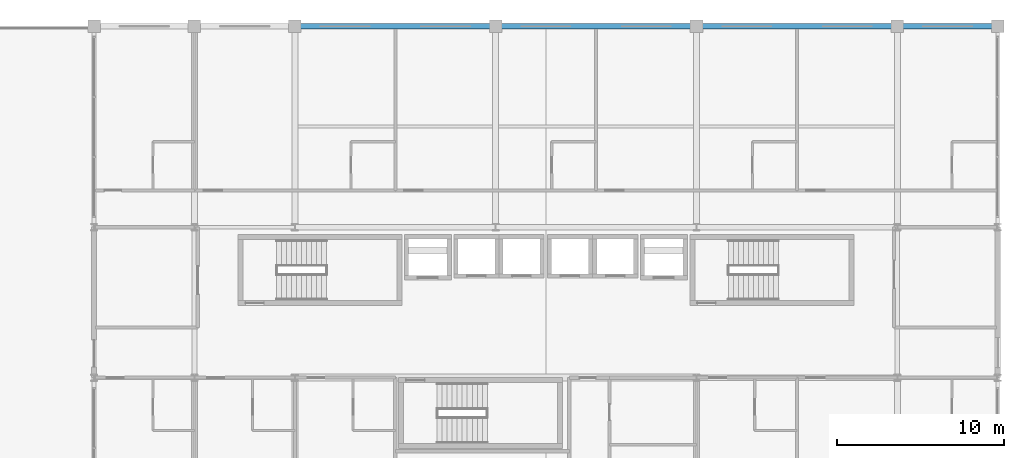
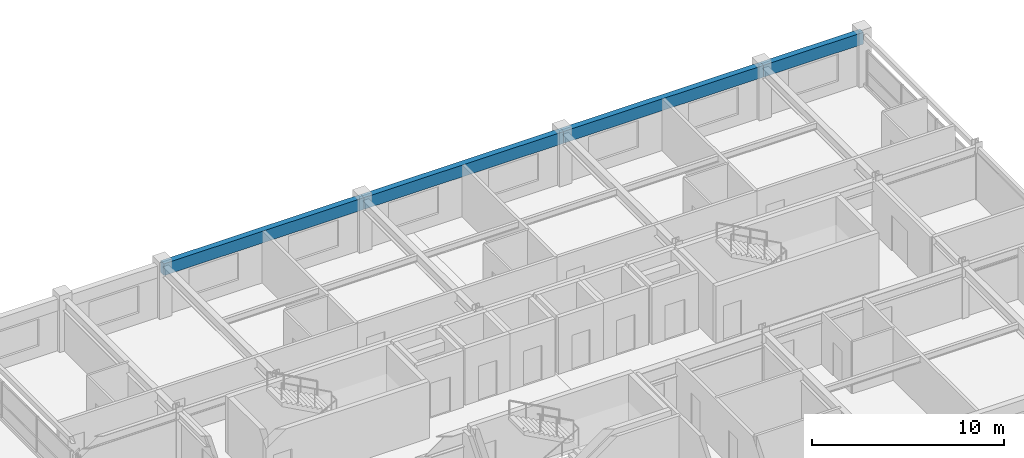
# One storey, part 14 of 21: 4 beams.
"""IFC4 building model written with IfcOpenShell, lengths in metres."""

from ifc_helpers import new_model, si_unit, direction, frame, origin, origin_2d, place, context, subcontext, project, spatial, rectangle, extrude, material, material_profile, profile_set, type_object, element, save


model = new_model("IFC4")

# Units and contexts
model_context = context("Model", 3, precision=1e-05, world=origin(), true_north=direction((0.0, 1.0)))
body_context = subcontext(model_context, "Body", "Model", "MODEL_VIEW")
ifc_project = project(units=[si_unit("LENGTHUNIT", "METRE"), si_unit("AREAUNIT", "SQUARE_METRE"), si_unit("VOLUMEUNIT", "CUBIC_METRE"), si_unit("PLANEANGLEUNIT", "RADIAN"), si_unit("MASSUNIT", "GRAM", prefix="KILO")], contexts=[model_context])

# Site, building, storey
site_placement = place(None, origin())
site = spatial("IfcSite", under=ifc_project, at=site_placement, CompositionType="ELEMENT")
building_placement = place(site_placement, origin())
building = spatial("IfcBuilding", under=site, at=building_placement, Name="Kaldorvane Square Convention Centre", CompositionType="ELEMENT")
storey_placement = place(building_placement, frame((0.0, 0.0, 49.19999694824219)))
storey = spatial("IfcBuildingStorey", under=building, at=storey_placement, Name="L11", CompositionType="ELEMENT", Elevation=49.19999694824219)

# Beams
ifc_material = material(Name="Concrete f'c = 42 MPa (Normalweight)", Category="concrete")
ifc_material_profile = material_profile(ifc_material, rectangle(XDim=0.350006103515625, YDim=0.75, at=origin_2d()), Name="RCSP750X350")
ifc_profile_set = profile_set([ifc_material_profile], Name="Concrete f'c = 42 MPa (Normalweight)")
beam_type = type_object("IfcBeamType", Name="BM-SP-RC750", PredefinedType="SPANDREL", material=ifc_profile_set)
for number, where, z_axis, x_axis, name in (
    (1, (42.0, 117.0, 2.9109954833984375), (1.0, 0.0, 0.0), (0.0, 1.0, 0.0), "Perimeter Spandrel (L11)"),
    (2, (54.0, 117.0, 2.9109954833984375), (1.0, 0.0, 0.0), (0.0, 1.0, 0.0), "Perimeter Spandrel (L11)"),
    (3, (66.0, 117.0, 2.9109954833984375), (1.0, 0.0, 0.0), (0.0, 1.0, 0.0), "Perimeter Spandrel (L11)"),
):
    element("IfcBeam", number, at=place(storey_placement, frame(where, z_axis=z_axis, x_axis=x_axis)), inside=storey, type_object=beam_type, Name=name, PredefinedType="SPANDREL", context=body_context, shape_type="SweptSolid", body=[
        extrude(rectangle(XDim=0.350006103515625, YDim=0.75, at=origin_2d()), origin(), (0.0, 0.0, 1.0), 12.0),
    ])
beam_placement = place(storey_placement, frame((78.0, 117.0, 2.9109954833984375), z_axis=(1.0, 0.0, 0.0), x_axis=(0.0, 1.0, 0.0)))
element("IfcBeam", 4, at=beam_placement, inside=storey, type_object=beam_type, Name="Perimeter Spandrel (L11)", PredefinedType="SPANDREL", context=body_context, shape_type="SweptSolid", body=[
    extrude(rectangle(XDim=0.350006103515625, YDim=0.75, at=origin_2d()), origin(), (0.0, 0.0, 1.0), 6.0),
])

save(model, "model.ifc")
